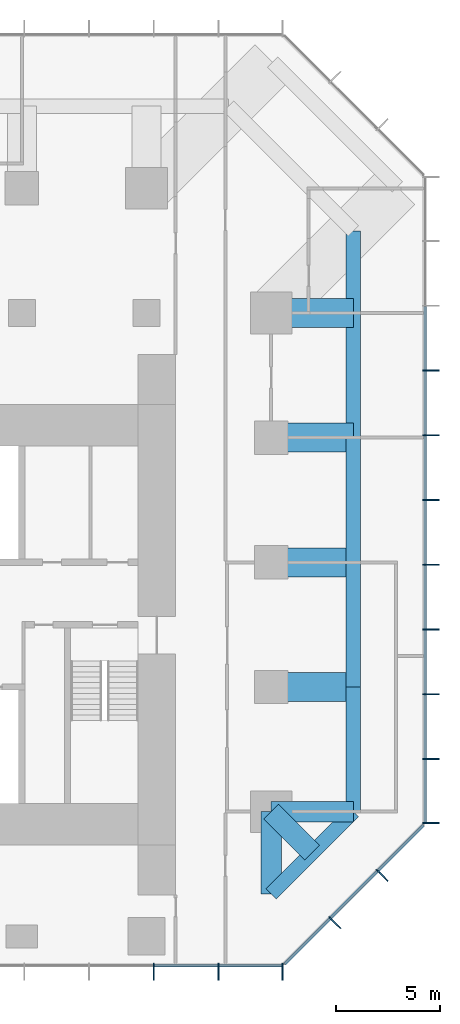
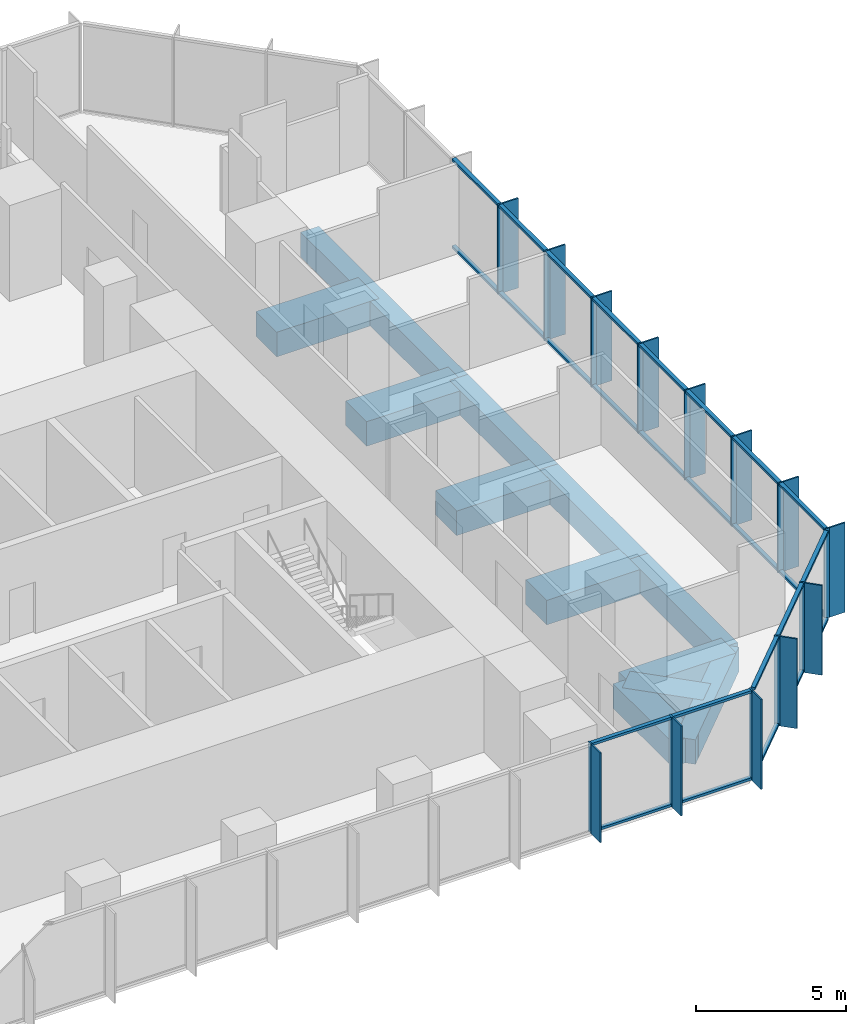
# One storey, part 4 of 11: 52 members, 12 beams, 3 elements without a shape of their own.
"""IFC4 building model written with IfcOpenShell, lengths in metres."""

from ifc_helpers import new_model, si_unit, direction, frame, origin, origin_2d, place, context, subcontext, project, spatial, rectangle, extrude, material, layer, layer_set, material_profile, profile_set, type_object, element, aggregate, save


model = new_model("IFC4")

# Units and contexts
model_context = context("Model", 3, precision=1e-05, world=origin(), true_north=direction((0.0, 1.0)))
body_context = subcontext(model_context, "Body", "Model", "MODEL_VIEW")
ifc_project = project(units=[si_unit("LENGTHUNIT", "METRE"), si_unit("AREAUNIT", "SQUARE_METRE"), si_unit("VOLUMEUNIT", "CUBIC_METRE"), si_unit("PLANEANGLEUNIT", "RADIAN"), si_unit("MASSUNIT", "GRAM", prefix="KILO")], contexts=[model_context])

# Site, building, storey
site_placement = place(None, origin())
site = spatial("IfcSite", under=ifc_project, at=site_placement, CompositionType="ELEMENT")
building_placement = place(site_placement, origin())
building = spatial("IfcBuilding", under=site, at=building_placement, Name="Highveld Stack Headquarters", CompositionType="ELEMENT")
storey_placement = place(building_placement, frame((0.0, 0.0, 169.39990234375)))
storey = spatial("IfcBuildingStorey", under=building, at=storey_placement, Name="L41", CompositionType="ELEMENT", Elevation=169.39990234375)

# Beams
ifc_material_1 = material(Name="Concrete C60/75", Category="concrete")
ifc_material_profile_1 = material_profile(ifc_material_1, rectangle(XDim=1.0, YDim=1.0, at=origin_2d()), Name="RC 1000x1000")
ifc_profile_set_1 = profile_set([ifc_material_profile_1], Name="Concrete C60/75")
beam_type_1 = type_object("IfcBeamType", Name="CANTILEVER RIB RC 1000x1000", PredefinedType="USERDEFINED", material=ifc_profile_set_1)
for number, where, z_axis, x_axis, name in (
    (1, (24.0, -6.0, -0.75), (1.0, 0.0, 0.0), (0.0, 1.0, 0.0), "Cantilever rib 10/D L41"),
    (2, (24.0, -6.0, -0.75), (0.0, -1.0, 0.0), (1.0, 0.0, 0.0), "Cantilever rib 10/D L41"),
):
    element("IfcBeam", number, at=place(storey_placement, frame(where, z_axis=z_axis, x_axis=x_axis)), inside=storey, type_object=beam_type_1, Name=name, ObjectType="CANTILEVER RIB", PredefinedType="USERDEFINED", context=body_context, shape_type="SweptSolid", body=[
        extrude(rectangle(XDim=1.0, YDim=1.0, at=origin_2d()), origin(), (0.0, 0.0, 1.0), 3.949951171875),
    ])
beam_1_placement = place(storey_placement, frame((24.0, -6.0, -0.75), z_axis=(0.707106781187, -0.707106781187, 0.0), x_axis=(0.707106781187, 0.707106781187, 0.0)))
element("IfcBeam", 3, at=beam_1_placement, inside=storey, type_object=beam_type_1, Name="Cantilever rib 10/D L41", ObjectType="CANTILEVER RIB", PredefinedType="USERDEFINED", context=body_context, shape_type="SweptSolid", body=[
    extrude(rectangle(XDim=1.0, YDim=1.0, at=origin_2d()), origin(), (0.0, 0.0, 1.0), 2.793212890625),
])
ifc_material_2 = material(Name="Concrete C60/75", Category="concrete")
ifc_material_profile_2 = material_profile(ifc_material_2, rectangle(XDim=1.39990234375, YDim=1.0, at=origin_2d()), Name="RC 1400x1000")
ifc_profile_set_2 = profile_set([ifc_material_profile_2], Name="Concrete C60/75")
beam_type_2 = type_object("IfcBeamType", Name="CANTILEVER RIB RC 1400x1000", PredefinedType="USERDEFINED", material=ifc_profile_set_2)
for number, where, z_axis, x_axis, name in (
    (4, (24.0, 0.0, -0.75), (1.0, 0.0, 0.0), (0.0, 1.0, 0.0), "Cantilever rib 10/E L41"),
    (5, (24.0, 6.0, -0.75), (1.0, 0.0, 0.0), (0.0, 1.0, 0.0), "Cantilever rib 10/F L41"),
    (6, (24.0, 12.0, -0.75), (1.0, 0.0, 0.0), (0.0, 1.0, 0.0), "Cantilever rib 10/G L41"),
    (7, (24.0, 18.0, -0.75), (1.0, 0.0, 0.0), (0.0, 1.0, 0.0), "Cantilever rib 10/H L41"),
):
    element("IfcBeam", number, at=place(storey_placement, frame(where, z_axis=z_axis, x_axis=x_axis)), inside=storey, type_object=beam_type_2, Name=name, ObjectType="CANTILEVER RIB", PredefinedType="USERDEFINED", context=body_context, shape_type="SweptSolid", body=[
        extrude(rectangle(XDim=1.39990234375, YDim=1.0, at=origin_2d()), origin(), (0.0, 0.0, 1.0), 3.949951171875),
    ])

# Curtain wall, members
ifc_material_3 = material(Name="Aluminium bronze anodised", Category="aluminium")
ifc_layer = layer(ifc_material_3, 0.199951171875)
ifc_layer_set = layer_set([ifc_layer], Name="Aluminium bronze anodised")
curtain_wall_type = type_object("IfcCurtainWallType", Name="CW6 SKY LOBBY UNITISED CURTAIN WALL", PredefinedType="NOTDEFINED", material=ifc_layer_set)
curtain_wall_1_placement = place(storey_placement, origin())
curtain_wall_1 = element("IfcCurtainWall", 8, at=curtain_wall_1_placement, inside=storey, type_object=curtain_wall_type, Name="Curtain wall CW6 L41 S", PredefinedType="NOTDEFINED")
ifc_material_4 = material(Name="Aluminium bronze anodised", Category="aluminium")
ifc_material_profile_3 = material_profile(ifc_material_4, rectangle(XDim=0.60009765625, YDim=0.06005859375, at=origin_2d()), Name="FIN 600x60")
ifc_profile_set_3 = profile_set([ifc_material_profile_3], Name="Aluminium bronze anodised")
member_type_1 = type_object("IfcMemberType", Name="CW6 BRONZE FIN 600x60", PredefinedType="USERDEFINED", material=ifc_profile_set_3)
member_1_placement = place(storey_placement, frame((18.347900390625, -13.800048828125, 0.0), z_axis=(0.0, 0.0, 1.0), x_axis=(0.0, 1.0, 0.0)))
member_1 = element("IfcMember", 9, at=member_1_placement, type_object=member_type_1, Name="CW6 fin L41 9", ObjectType="FIN", PredefinedType="USERDEFINED", context=body_context, shape_type="SweptSolid", body=[
    extrude(rectangle(XDim=0.60009765625, YDim=0.06005859375, at=origin_2d()), origin(), (0.0, 0.0, 1.0), 3.650146484375),
])
member_2_placement = place(storey_placement, frame((21.4638671875, -13.800048828125, 0.0), z_axis=(0.0, 0.0, 1.0), x_axis=(0.0, 1.0, 0.0)))
member_2 = element("IfcMember", 10, at=member_2_placement, type_object=member_type_1, Name="CW6 fin L41 10", ObjectType="FIN", PredefinedType="USERDEFINED", context=body_context, shape_type="SweptSolid", body=[
    extrude(rectangle(XDim=0.60009765625, YDim=0.06005859375, at=origin_2d()), origin(), (0.0, 0.0, 1.0), 3.650146484375),
])
member_3_placement = place(storey_placement, frame((24.54736328125, -13.800048828125, 0.0), z_axis=(0.0, 0.0, 1.0), x_axis=(0.0, 1.0, 0.0)))
member_3 = element("IfcMember", 11, at=member_3_placement, type_object=member_type_1, Name="CW6 fin L41 11", ObjectType="FIN", PredefinedType="USERDEFINED", context=body_context, shape_type="SweptSolid", body=[
    extrude(rectangle(XDim=0.60009765625, YDim=0.06005859375, at=origin_2d()), origin(), (0.0, 0.0, 1.0), 3.650146484375),
])

curtain_wall_2_placement = place(storey_placement, origin())
curtain_wall_2 = element("IfcCurtainWall", 12, at=curtain_wall_2_placement, inside=storey, type_object=curtain_wall_type, Name="Curtain wall CW6 L41 SE", PredefinedType="NOTDEFINED")
member_4_placement = place(storey_placement, frame((27.135986328125, -11.409423828125, 0.0), z_axis=(0.0, 0.0, 1.0), x_axis=(-0.707106781187, 0.707106781187, 0.0)))
member_4 = element("IfcMember", 13, at=member_4_placement, type_object=member_type_1, Name="CW6 fin L41 1", ObjectType="FIN", PredefinedType="USERDEFINED", context=body_context, shape_type="SweptSolid", body=[
    extrude(rectangle(XDim=0.60009765625, YDim=0.06005859375, at=origin_2d()), origin(), (0.0, 0.0, 1.0), 3.650146484375),
])
member_5_placement = place(storey_placement, frame((29.409423828125, -9.135986328125, 0.0), z_axis=(0.0, 0.0, 1.0), x_axis=(-0.707106781187, 0.707106781187, 0.0)))
member_5 = element("IfcMember", 14, at=member_5_placement, type_object=member_type_1, Name="CW6 fin L41 2", ObjectType="FIN", PredefinedType="USERDEFINED", context=body_context, shape_type="SweptSolid", body=[
    extrude(rectangle(XDim=0.60009765625, YDim=0.06005859375, at=origin_2d()), origin(), (0.0, 0.0, 1.0), 3.650146484375),
])

curtain_wall_3_placement = place(storey_placement, origin())
curtain_wall_3 = element("IfcCurtainWall", 15, at=curtain_wall_3_placement, inside=storey, type_object=curtain_wall_type, Name="Curtain wall CW6 L41 E", PredefinedType="NOTDEFINED")
member_6_placement = place(storey_placement, frame((31.800048828125, -6.54736328125, 0.0), z_axis=(0.0, 0.0, 1.0), x_axis=(-1.0, 0.0, 0.0)))
member_6 = element("IfcMember", 16, at=member_6_placement, type_object=member_type_1, Name="CW6 fin L41 1", ObjectType="FIN", PredefinedType="USERDEFINED", context=body_context, shape_type="SweptSolid", body=[
    extrude(rectangle(XDim=0.60009765625, YDim=0.06005859375, at=origin_2d()), origin(), (0.0, 0.0, 1.0), 3.650146484375),
])
member_7_placement = place(storey_placement, frame((31.800048828125, -3.4638671875, 0.0), z_axis=(0.0, 0.0, 1.0), x_axis=(-1.0, 0.0, 0.0)))
member_7 = element("IfcMember", 17, at=member_7_placement, type_object=member_type_1, Name="CW6 fin L41 2", ObjectType="FIN", PredefinedType="USERDEFINED", context=body_context, shape_type="SweptSolid", body=[
    extrude(rectangle(XDim=0.60009765625, YDim=0.06005859375, at=origin_2d()), origin(), (0.0, 0.0, 1.0), 3.650146484375),
])
member_8_placement = place(storey_placement, frame((31.800048828125, -0.347900390625, 0.0), z_axis=(0.0, 0.0, 1.0), x_axis=(-1.0, 0.0, 0.0)))
member_8 = element("IfcMember", 18, at=member_8_placement, type_object=member_type_1, Name="CW6 fin L41 3", ObjectType="FIN", PredefinedType="USERDEFINED", context=body_context, shape_type="SweptSolid", body=[
    extrude(rectangle(XDim=0.60009765625, YDim=0.06005859375, at=origin_2d()), origin(), (0.0, 0.0, 1.0), 3.650146484375),
])
member_9_placement = place(storey_placement, frame((31.800048828125, 2.76806640625, 0.0), z_axis=(0.0, 0.0, 1.0), x_axis=(-1.0, 0.0, 0.0)))
member_9 = element("IfcMember", 19, at=member_9_placement, type_object=member_type_1, Name="CW6 fin L41 4", ObjectType="FIN", PredefinedType="USERDEFINED", context=body_context, shape_type="SweptSolid", body=[
    extrude(rectangle(XDim=0.60009765625, YDim=0.06005859375, at=origin_2d()), origin(), (0.0, 0.0, 1.0), 3.650146484375),
])
member_10_placement = place(storey_placement, frame((31.800048828125, 5.884033203125, 0.0), z_axis=(0.0, 0.0, 1.0), x_axis=(-1.0, 0.0, 0.0)))
member_10 = element("IfcMember", 20, at=member_10_placement, type_object=member_type_1, Name="CW6 fin L41 5", ObjectType="FIN", PredefinedType="USERDEFINED", context=body_context, shape_type="SweptSolid", body=[
    extrude(rectangle(XDim=0.60009765625, YDim=0.06005859375, at=origin_2d()), origin(), (0.0, 0.0, 1.0), 3.650146484375),
])
member_11_placement = place(storey_placement, frame((31.800048828125, 9.0, 0.0), z_axis=(0.0, 0.0, 1.0), x_axis=(-1.0, 0.0, 0.0)))
member_11 = element("IfcMember", 21, at=member_11_placement, type_object=member_type_1, Name="CW6 fin L41 6", ObjectType="FIN", PredefinedType="USERDEFINED", context=body_context, shape_type="SweptSolid", body=[
    extrude(rectangle(XDim=0.60009765625, YDim=0.06005859375, at=origin_2d()), origin(), (0.0, 0.0, 1.0), 3.650146484375),
])
member_12_placement = place(storey_placement, frame((31.800048828125, 12.115966796875, 0.0), z_axis=(0.0, 0.0, 1.0), x_axis=(-1.0, 0.0, 0.0)))
member_12 = element("IfcMember", 22, at=member_12_placement, type_object=member_type_1, Name="CW6 fin L41 7", ObjectType="FIN", PredefinedType="USERDEFINED", context=body_context, shape_type="SweptSolid", body=[
    extrude(rectangle(XDim=0.60009765625, YDim=0.06005859375, at=origin_2d()), origin(), (0.0, 0.0, 1.0), 3.650146484375),
])
member_13_placement = place(storey_placement, frame((31.800048828125, 15.23193359375, 0.0), z_axis=(0.0, 0.0, 1.0), x_axis=(-1.0, 0.0, 0.0)))
member_13 = element("IfcMember", 23, at=member_13_placement, type_object=member_type_1, Name="CW6 fin L41 8", ObjectType="FIN", PredefinedType="USERDEFINED", context=body_context, shape_type="SweptSolid", body=[
    extrude(rectangle(XDim=0.60009765625, YDim=0.06005859375, at=origin_2d()), origin(), (0.0, 0.0, 1.0), 3.650146484375),
])

# Member
ifc_material_5 = material(Name="Aluminium bronze anodised", Category="aluminium")
ifc_material_profile_4 = material_profile(ifc_material_5, rectangle(XDim=0.199951171875, YDim=0.06494140625, at=origin_2d()), Name="CW6 MULLION 65x200")
ifc_profile_set_4 = profile_set([ifc_material_profile_4], Name="Aluminium bronze anodised")
member_type_2 = type_object("IfcMemberType", Name="CW6 MULLION 65x200", PredefinedType="MULLION", material=ifc_profile_set_4)
member_14_placement = place(storey_placement, frame((18.347900390625, -13.39990234375, 0.0), z_axis=(0.0, 0.0, 1.0), x_axis=(0.0, 1.0, 0.0)))
member_14 = element("IfcMember", 24, at=member_14_placement, type_object=member_type_2, Name="CW6 mullion L41 9", PredefinedType="MULLION", context=body_context, shape_type="SweptSolid", body=[
    extrude(rectangle(XDim=0.199951171875, YDim=0.06494140625, at=origin_2d()), origin(), (0.0, 0.0, 1.0), 3.650146484375),
])

member_15_placement = place(storey_placement, frame((21.4638671875, -13.39990234375, 0.0), z_axis=(0.0, 0.0, 1.0), x_axis=(0.0, 1.0, 0.0)))
member_15 = element("IfcMember", 25, at=member_15_placement, type_object=member_type_2, Name="CW6 mullion L41 10", PredefinedType="MULLION", context=body_context, shape_type="SweptSolid", body=[
    extrude(rectangle(XDim=0.199951171875, YDim=0.06494140625, at=origin_2d()), origin(), (0.0, 0.0, 1.0), 3.650146484375),
])

member_16_placement = place(storey_placement, frame((24.54736328125, -13.39990234375, 0.0), z_axis=(0.0, 0.0, 1.0), x_axis=(0.0, 1.0, 0.0)))
member_16 = element("IfcMember", 26, at=member_16_placement, type_object=member_type_2, Name="CW6 mullion L41 11", PredefinedType="MULLION", context=body_context, shape_type="SweptSolid", body=[
    extrude(rectangle(XDim=0.199951171875, YDim=0.06494140625, at=origin_2d()), origin(), (0.0, 0.0, 1.0), 3.650146484375),
])

member_17_placement = place(storey_placement, frame((26.853271484375, -11.126708984375, 0.0), z_axis=(0.0, 0.0, 1.0), x_axis=(-0.707106781187, 0.707106781187, 0.0)))
member_17 = element("IfcMember", 27, at=member_17_placement, type_object=member_type_2, Name="CW6 mullion L41 1", PredefinedType="MULLION", context=body_context, shape_type="SweptSolid", body=[
    extrude(rectangle(XDim=0.199951171875, YDim=0.06494140625, at=origin_2d()), origin(), (0.0, 0.0, 1.0), 3.650146484375),
])

member_18_placement = place(storey_placement, frame((29.126708984375, -8.853271484375, 0.0), z_axis=(0.0, 0.0, 1.0), x_axis=(-0.707106781187, 0.707106781187, 0.0)))
member_18 = element("IfcMember", 28, at=member_18_placement, type_object=member_type_2, Name="CW6 mullion L41 2", PredefinedType="MULLION", context=body_context, shape_type="SweptSolid", body=[
    extrude(rectangle(XDim=0.199951171875, YDim=0.06494140625, at=origin_2d()), origin(), (0.0, 0.0, 1.0), 3.650146484375),
])

member_19_placement = place(storey_placement, frame((31.39990234375, -6.54736328125, 0.0), z_axis=(0.0, 0.0, 1.0), x_axis=(-1.0, 0.0, 0.0)))
member_19 = element("IfcMember", 29, at=member_19_placement, type_object=member_type_2, Name="CW6 mullion L41 1", PredefinedType="MULLION", context=body_context, shape_type="SweptSolid", body=[
    extrude(rectangle(XDim=0.199951171875, YDim=0.06494140625, at=origin_2d()), origin(), (0.0, 0.0, 1.0), 3.650146484375),
])

member_20_placement = place(storey_placement, frame((31.39990234375, -3.4638671875, 0.0), z_axis=(0.0, 0.0, 1.0), x_axis=(-1.0, 0.0, 0.0)))
member_20 = element("IfcMember", 30, at=member_20_placement, type_object=member_type_2, Name="CW6 mullion L41 2", PredefinedType="MULLION", context=body_context, shape_type="SweptSolid", body=[
    extrude(rectangle(XDim=0.199951171875, YDim=0.06494140625, at=origin_2d()), origin(), (0.0, 0.0, 1.0), 3.650146484375),
])

member_21_placement = place(storey_placement, frame((31.39990234375, -0.347900390625, 0.0), z_axis=(0.0, 0.0, 1.0), x_axis=(-1.0, 0.0, 0.0)))
member_21 = element("IfcMember", 31, at=member_21_placement, type_object=member_type_2, Name="CW6 mullion L41 3", PredefinedType="MULLION", context=body_context, shape_type="SweptSolid", body=[
    extrude(rectangle(XDim=0.199951171875, YDim=0.06494140625, at=origin_2d()), origin(), (0.0, 0.0, 1.0), 3.650146484375),
])

member_22_placement = place(storey_placement, frame((31.39990234375, 2.76806640625, 0.0), z_axis=(0.0, 0.0, 1.0), x_axis=(-1.0, 0.0, 0.0)))
member_22 = element("IfcMember", 32, at=member_22_placement, type_object=member_type_2, Name="CW6 mullion L41 4", PredefinedType="MULLION", context=body_context, shape_type="SweptSolid", body=[
    extrude(rectangle(XDim=0.199951171875, YDim=0.06494140625, at=origin_2d()), origin(), (0.0, 0.0, 1.0), 3.650146484375),
])

member_23_placement = place(storey_placement, frame((31.39990234375, 5.884033203125, 0.0), z_axis=(0.0, 0.0, 1.0), x_axis=(-1.0, 0.0, 0.0)))
member_23 = element("IfcMember", 33, at=member_23_placement, type_object=member_type_2, Name="CW6 mullion L41 5", PredefinedType="MULLION", context=body_context, shape_type="SweptSolid", body=[
    extrude(rectangle(XDim=0.199951171875, YDim=0.06494140625, at=origin_2d()), origin(), (0.0, 0.0, 1.0), 3.650146484375),
])

member_24_placement = place(storey_placement, frame((31.39990234375, 9.0, 0.0), z_axis=(0.0, 0.0, 1.0), x_axis=(-1.0, 0.0, 0.0)))
member_24 = element("IfcMember", 34, at=member_24_placement, type_object=member_type_2, Name="CW6 mullion L41 6", PredefinedType="MULLION", context=body_context, shape_type="SweptSolid", body=[
    extrude(rectangle(XDim=0.199951171875, YDim=0.06494140625, at=origin_2d()), origin(), (0.0, 0.0, 1.0), 3.650146484375),
])

member_25_placement = place(storey_placement, frame((31.39990234375, 12.115966796875, 0.0), z_axis=(0.0, 0.0, 1.0), x_axis=(-1.0, 0.0, 0.0)))
member_25 = element("IfcMember", 35, at=member_25_placement, type_object=member_type_2, Name="CW6 mullion L41 7", PredefinedType="MULLION", context=body_context, shape_type="SweptSolid", body=[
    extrude(rectangle(XDim=0.199951171875, YDim=0.06494140625, at=origin_2d()), origin(), (0.0, 0.0, 1.0), 3.650146484375),
])

member_26_placement = place(storey_placement, frame((31.39990234375, 15.23193359375, 0.0), z_axis=(0.0, 0.0, 1.0), x_axis=(-1.0, 0.0, 0.0)))
member_26 = element("IfcMember", 36, at=member_26_placement, type_object=member_type_2, Name="CW6 mullion L41 8", PredefinedType="MULLION", context=body_context, shape_type="SweptSolid", body=[
    extrude(rectangle(XDim=0.199951171875, YDim=0.06494140625, at=origin_2d()), origin(), (0.0, 0.0, 1.0), 3.650146484375),
])

ifc_material_6 = material(Name="Aluminium bronze anodised", Category="aluminium")
ifc_material_profile_5 = material_profile(ifc_material_6, rectangle(XDim=0.14990234375, YDim=0.10009765625, at=origin_2d()), Name="CW6 TRANSOM 150x100")
ifc_profile_set_5 = profile_set([ifc_material_profile_5], Name="Aluminium bronze anodised")
member_type_3 = type_object("IfcMemberType", Name="CW6 STACK TRANSOM 150x100", PredefinedType="USERDEFINED", material=ifc_profile_set_5)
member_27_placement = place(storey_placement, frame((18.38037109375, -13.39990234375, 0.050048828125), z_axis=(1.0, 0.0, 0.0), x_axis=(0.0, 1.0, 0.0)))
member_27 = element("IfcMember", 37, at=member_27_placement, type_object=member_type_3, Name="CW6 transom L41 9.1", ObjectType="TRANSOM", PredefinedType="USERDEFINED", context=body_context, shape_type="SweptSolid", body=[
    extrude(rectangle(XDim=0.14990234375, YDim=0.10009765625, at=origin_2d()), origin(), (0.0, 0.0, 1.0), 3.051025390625),
])

member_28_placement = place(storey_placement, frame((18.38037109375, -13.39990234375, 3.60009765625), z_axis=(1.0, 0.0, 0.0), x_axis=(0.0, 1.0, 0.0)))
member_28 = element("IfcMember", 38, at=member_28_placement, type_object=member_type_3, Name="CW6 transom L41 9.2", ObjectType="TRANSOM", PredefinedType="USERDEFINED", context=body_context, shape_type="SweptSolid", body=[
    extrude(rectangle(XDim=0.14990234375, YDim=0.10009765625, at=origin_2d()), origin(), (0.0, 0.0, 1.0), 3.051025390625),
])

member_29_placement = place(storey_placement, frame((21.496337890625, -13.39990234375, 0.050048828125), z_axis=(1.0, 0.0, 0.0), x_axis=(0.0, 1.0, 0.0)))
member_29 = element("IfcMember", 39, at=member_29_placement, type_object=member_type_3, Name="CW6 transom L41 10.1", ObjectType="TRANSOM", PredefinedType="USERDEFINED", context=body_context, shape_type="SweptSolid", body=[
    extrude(rectangle(XDim=0.14990234375, YDim=0.10009765625, at=origin_2d()), origin(), (0.0, 0.0, 1.0), 3.0185546875),
])

member_30_placement = place(storey_placement, frame((21.496337890625, -13.39990234375, 3.60009765625), z_axis=(1.0, 0.0, 0.0), x_axis=(0.0, 1.0, 0.0)))
member_30 = element("IfcMember", 40, at=member_30_placement, type_object=member_type_3, Name="CW6 transom L41 10.2", ObjectType="TRANSOM", PredefinedType="USERDEFINED", context=body_context, shape_type="SweptSolid", body=[
    extrude(rectangle(XDim=0.14990234375, YDim=0.10009765625, at=origin_2d()), origin(), (0.0, 0.0, 1.0), 3.0185546875),
])

aggregate(curtain_wall_1, [member_14, member_1, member_15, member_2, member_16, member_3, member_27, member_28, member_29, member_30])

member_31_placement = place(storey_placement, frame((24.650634765625, -13.329345703125, 0.050048828125), z_axis=(0.707106781187, 0.707106781187, 0.0), x_axis=(-0.707106781187, 0.707106781187, 0.0)))
member_31 = element("IfcMember", 41, at=member_31_placement, type_object=member_type_3, Name="CW6 transom L41 1.1", ObjectType="TRANSOM", PredefinedType="USERDEFINED", context=body_context, shape_type="SweptSolid", body=[
    extrude(rectangle(XDim=0.14990234375, YDim=0.10009765625, at=origin_2d()), origin(), (0.0, 0.0, 1.0), 3.08251953125),
])

member_32_placement = place(storey_placement, frame((24.650634765625, -13.329345703125, 3.60009765625), z_axis=(0.707106781187, 0.707106781187, 0.0), x_axis=(-0.707106781187, 0.707106781187, 0.0)))
member_32 = element("IfcMember", 42, at=member_32_placement, type_object=member_type_3, Name="CW6 transom L41 1.2", ObjectType="TRANSOM", PredefinedType="USERDEFINED", context=body_context, shape_type="SweptSolid", body=[
    extrude(rectangle(XDim=0.14990234375, YDim=0.10009765625, at=origin_2d()), origin(), (0.0, 0.0, 1.0), 3.08251953125),
])

member_33_placement = place(storey_placement, frame((26.876220703125, -11.103759765625, 0.050048828125), z_axis=(0.707106781187, 0.707106781187, 0.0), x_axis=(-0.707106781187, 0.707106781187, 0.0)))
member_33 = element("IfcMember", 43, at=member_33_placement, type_object=member_type_3, Name="CW6 transom L41 2.1", ObjectType="TRANSOM", PredefinedType="USERDEFINED", context=body_context, shape_type="SweptSolid", body=[
    extrude(rectangle(XDim=0.14990234375, YDim=0.10009765625, at=origin_2d()), origin(), (0.0, 0.0, 1.0), 3.150146484375),
])

member_34_placement = place(storey_placement, frame((26.876220703125, -11.103759765625, 3.60009765625), z_axis=(0.707106781187, 0.707106781187, 0.0), x_axis=(-0.707106781187, 0.707106781187, 0.0)))
member_34 = element("IfcMember", 44, at=member_34_placement, type_object=member_type_3, Name="CW6 transom L41 2.2", ObjectType="TRANSOM", PredefinedType="USERDEFINED", context=body_context, shape_type="SweptSolid", body=[
    extrude(rectangle(XDim=0.14990234375, YDim=0.10009765625, at=origin_2d()), origin(), (0.0, 0.0, 1.0), 3.150146484375),
])

member_35_placement = place(storey_placement, frame((29.149658203125, -8.830322265625, 0.050048828125), z_axis=(0.707106781187, 0.707106781187, 0.0), x_axis=(-0.707106781187, 0.707106781187, 0.0)))
member_35 = element("IfcMember", 45, at=member_35_placement, type_object=member_type_3, Name="CW6 transom L41 3.1", ObjectType="TRANSOM", PredefinedType="USERDEFINED", context=body_context, shape_type="SweptSolid", body=[
    extrude(rectangle(XDim=0.14990234375, YDim=0.10009765625, at=origin_2d()), origin(), (0.0, 0.0, 1.0), 3.08251953125),
])

member_36_placement = place(storey_placement, frame((29.149658203125, -8.830322265625, 3.60009765625), z_axis=(0.707106781187, 0.707106781187, 0.0), x_axis=(-0.707106781187, 0.707106781187, 0.0)))
member_36 = element("IfcMember", 46, at=member_36_placement, type_object=member_type_3, Name="CW6 transom L41 3.2", ObjectType="TRANSOM", PredefinedType="USERDEFINED", context=body_context, shape_type="SweptSolid", body=[
    extrude(rectangle(XDim=0.14990234375, YDim=0.10009765625, at=origin_2d()), origin(), (0.0, 0.0, 1.0), 3.08251953125),
])

aggregate(curtain_wall_2, [member_17, member_4, member_18, member_5, member_31, member_32, member_33, member_34, member_35, member_36])

member_37_placement = place(storey_placement, frame((31.39990234375, -6.514892578125, 0.050048828125), z_axis=(0.0, 1.0, 0.0), x_axis=(-1.0, 0.0, 0.0)))
member_37 = element("IfcMember", 47, at=member_37_placement, type_object=member_type_3, Name="CW6 transom L41 1.1", ObjectType="TRANSOM", PredefinedType="USERDEFINED", context=body_context, shape_type="SweptSolid", body=[
    extrude(rectangle(XDim=0.14990234375, YDim=0.10009765625, at=origin_2d()), origin(), (0.0, 0.0, 1.0), 3.0185546875),
])

member_38_placement = place(storey_placement, frame((31.39990234375, -6.514892578125, 3.60009765625), z_axis=(0.0, 1.0, 0.0), x_axis=(-1.0, 0.0, 0.0)))
member_38 = element("IfcMember", 48, at=member_38_placement, type_object=member_type_3, Name="CW6 transom L41 1.2", ObjectType="TRANSOM", PredefinedType="USERDEFINED", context=body_context, shape_type="SweptSolid", body=[
    extrude(rectangle(XDim=0.14990234375, YDim=0.10009765625, at=origin_2d()), origin(), (0.0, 0.0, 1.0), 3.0185546875),
])

member_39_placement = place(storey_placement, frame((31.39990234375, -3.431396484375, 0.050048828125), z_axis=(0.0, 1.0, 0.0), x_axis=(-1.0, 0.0, 0.0)))
member_39 = element("IfcMember", 49, at=member_39_placement, type_object=member_type_3, Name="CW6 transom L41 2.1", ObjectType="TRANSOM", PredefinedType="USERDEFINED", context=body_context, shape_type="SweptSolid", body=[
    extrude(rectangle(XDim=0.14990234375, YDim=0.10009765625, at=origin_2d()), origin(), (0.0, 0.0, 1.0), 3.051025390625),
])

member_40_placement = place(storey_placement, frame((31.39990234375, -3.431396484375, 3.60009765625), z_axis=(0.0, 1.0, 0.0), x_axis=(-1.0, 0.0, 0.0)))
member_40 = element("IfcMember", 50, at=member_40_placement, type_object=member_type_3, Name="CW6 transom L41 2.2", ObjectType="TRANSOM", PredefinedType="USERDEFINED", context=body_context, shape_type="SweptSolid", body=[
    extrude(rectangle(XDim=0.14990234375, YDim=0.10009765625, at=origin_2d()), origin(), (0.0, 0.0, 1.0), 3.051025390625),
])

member_41_placement = place(storey_placement, frame((31.39990234375, -0.3154296875, 0.050048828125), z_axis=(0.0, 1.0, 0.0), x_axis=(-1.0, 0.0, 0.0)))
member_41 = element("IfcMember", 51, at=member_41_placement, type_object=member_type_3, Name="CW6 transom L41 3.1", ObjectType="TRANSOM", PredefinedType="USERDEFINED", context=body_context, shape_type="SweptSolid", body=[
    extrude(rectangle(XDim=0.14990234375, YDim=0.10009765625, at=origin_2d()), origin(), (0.0, 0.0, 1.0), 3.051025390625),
])

member_42_placement = place(storey_placement, frame((31.39990234375, -0.3154296875, 3.60009765625), z_axis=(0.0, 1.0, 0.0), x_axis=(-1.0, 0.0, 0.0)))
member_42 = element("IfcMember", 52, at=member_42_placement, type_object=member_type_3, Name="CW6 transom L41 3.2", ObjectType="TRANSOM", PredefinedType="USERDEFINED", context=body_context, shape_type="SweptSolid", body=[
    extrude(rectangle(XDim=0.14990234375, YDim=0.10009765625, at=origin_2d()), origin(), (0.0, 0.0, 1.0), 3.051025390625),
])

member_43_placement = place(storey_placement, frame((31.39990234375, 2.800537109375, 0.050048828125), z_axis=(0.0, 1.0, 0.0), x_axis=(-1.0, 0.0, 0.0)))
member_43 = element("IfcMember", 53, at=member_43_placement, type_object=member_type_3, Name="CW6 transom L41 4.1", ObjectType="TRANSOM", PredefinedType="USERDEFINED", context=body_context, shape_type="SweptSolid", body=[
    extrude(rectangle(XDim=0.14990234375, YDim=0.10009765625, at=origin_2d()), origin(), (0.0, 0.0, 1.0), 3.051025390625),
])

member_44_placement = place(storey_placement, frame((31.39990234375, 2.800537109375, 3.60009765625), z_axis=(0.0, 1.0, 0.0), x_axis=(-1.0, 0.0, 0.0)))
member_44 = element("IfcMember", 54, at=member_44_placement, type_object=member_type_3, Name="CW6 transom L41 4.2", ObjectType="TRANSOM", PredefinedType="USERDEFINED", context=body_context, shape_type="SweptSolid", body=[
    extrude(rectangle(XDim=0.14990234375, YDim=0.10009765625, at=origin_2d()), origin(), (0.0, 0.0, 1.0), 3.051025390625),
])

member_45_placement = place(storey_placement, frame((31.39990234375, 5.91650390625, 0.050048828125), z_axis=(0.0, 1.0, 0.0), x_axis=(-1.0, 0.0, 0.0)))
member_45 = element("IfcMember", 55, at=member_45_placement, type_object=member_type_3, Name="CW6 transom L41 5.1", ObjectType="TRANSOM", PredefinedType="USERDEFINED", context=body_context, shape_type="SweptSolid", body=[
    extrude(rectangle(XDim=0.14990234375, YDim=0.10009765625, at=origin_2d()), origin(), (0.0, 0.0, 1.0), 3.051025390625),
])

member_46_placement = place(storey_placement, frame((31.39990234375, 5.91650390625, 3.60009765625), z_axis=(0.0, 1.0, 0.0), x_axis=(-1.0, 0.0, 0.0)))
member_46 = element("IfcMember", 56, at=member_46_placement, type_object=member_type_3, Name="CW6 transom L41 5.2", ObjectType="TRANSOM", PredefinedType="USERDEFINED", context=body_context, shape_type="SweptSolid", body=[
    extrude(rectangle(XDim=0.14990234375, YDim=0.10009765625, at=origin_2d()), origin(), (0.0, 0.0, 1.0), 3.051025390625),
])

member_47_placement = place(storey_placement, frame((31.39990234375, 9.032470703125, 0.050048828125), z_axis=(0.0, 1.0, 0.0), x_axis=(-1.0, 0.0, 0.0)))
member_47 = element("IfcMember", 57, at=member_47_placement, type_object=member_type_3, Name="CW6 transom L41 6.1", ObjectType="TRANSOM", PredefinedType="USERDEFINED", context=body_context, shape_type="SweptSolid", body=[
    extrude(rectangle(XDim=0.14990234375, YDim=0.10009765625, at=origin_2d()), origin(), (0.0, 0.0, 1.0), 3.051025390625),
])

member_48_placement = place(storey_placement, frame((31.39990234375, 9.032470703125, 3.60009765625), z_axis=(0.0, 1.0, 0.0), x_axis=(-1.0, 0.0, 0.0)))
member_48 = element("IfcMember", 58, at=member_48_placement, type_object=member_type_3, Name="CW6 transom L41 6.2", ObjectType="TRANSOM", PredefinedType="USERDEFINED", context=body_context, shape_type="SweptSolid", body=[
    extrude(rectangle(XDim=0.14990234375, YDim=0.10009765625, at=origin_2d()), origin(), (0.0, 0.0, 1.0), 3.051025390625),
])

member_49_placement = place(storey_placement, frame((31.39990234375, 12.1484375, 0.050048828125), z_axis=(0.0, 1.0, 0.0), x_axis=(-1.0, 0.0, 0.0)))
member_49 = element("IfcMember", 59, at=member_49_placement, type_object=member_type_3, Name="CW6 transom L41 7.1", ObjectType="TRANSOM", PredefinedType="USERDEFINED", context=body_context, shape_type="SweptSolid", body=[
    extrude(rectangle(XDim=0.14990234375, YDim=0.10009765625, at=origin_2d()), origin(), (0.0, 0.0, 1.0), 3.051025390625),
])

member_50_placement = place(storey_placement, frame((31.39990234375, 12.1484375, 3.60009765625), z_axis=(0.0, 1.0, 0.0), x_axis=(-1.0, 0.0, 0.0)))
member_50 = element("IfcMember", 60, at=member_50_placement, type_object=member_type_3, Name="CW6 transom L41 7.2", ObjectType="TRANSOM", PredefinedType="USERDEFINED", context=body_context, shape_type="SweptSolid", body=[
    extrude(rectangle(XDim=0.14990234375, YDim=0.10009765625, at=origin_2d()), origin(), (0.0, 0.0, 1.0), 3.051025390625),
])

member_51_placement = place(storey_placement, frame((31.39990234375, 15.264404296875, 0.050048828125), z_axis=(0.0, 1.0, 0.0), x_axis=(-1.0, 0.0, 0.0)))
member_51 = element("IfcMember", 61, at=member_51_placement, type_object=member_type_3, Name="CW6 transom L41 8.1", ObjectType="TRANSOM", PredefinedType="USERDEFINED", context=body_context, shape_type="SweptSolid", body=[
    extrude(rectangle(XDim=0.14990234375, YDim=0.10009765625, at=origin_2d()), origin(), (0.0, 0.0, 1.0), 3.051025390625),
])

member_52_placement = place(storey_placement, frame((31.39990234375, 15.264404296875, 3.60009765625), z_axis=(0.0, 1.0, 0.0), x_axis=(-1.0, 0.0, 0.0)))
member_52 = element("IfcMember", 62, at=member_52_placement, type_object=member_type_3, Name="CW6 transom L41 8.2", ObjectType="TRANSOM", PredefinedType="USERDEFINED", context=body_context, shape_type="SweptSolid", body=[
    extrude(rectangle(XDim=0.14990234375, YDim=0.10009765625, at=origin_2d()), origin(), (0.0, 0.0, 1.0), 3.051025390625),
])

aggregate(curtain_wall_3, [member_19, member_6, member_20, member_7, member_21, member_8, member_22, member_9, member_23, member_10, member_24, member_11, member_25, member_12, member_26, member_13, member_37, member_38, member_39, member_40, member_41, member_42, member_43, member_44, member_45, member_46, member_47, member_48, member_49, member_50, member_51, member_52])

# Beams
ifc_material_7 = material(Name="Concrete C60/75", Category="concrete")
ifc_material_profile_6 = material_profile(ifc_material_7, rectangle(XDim=0.699951171875, YDim=1.0, at=origin_2d()), Name="RC 700x1000")
ifc_profile_set_6 = profile_set([ifc_material_profile_6], Name="Concrete C60/75")
beam_type_3 = type_object("IfcBeamType", Name="RIB TIP BEAM RC 700x1000", PredefinedType="SPANDREL", material=ifc_profile_set_6)
for number, where, z_axis, x_axis, name in (
    (63, (27.949951171875, -6.0, -0.75), (0.0, 1.0, 0.0), (-1.0, 0.0, 0.0), "Rib tip beam 10/D to 10/E L41"),
    (64, (27.949951171875, 0.0, -0.75), (0.0, 1.0, 0.0), (-1.0, 0.0, 0.0), "Rib tip beam 10/E to 10/F L41"),
    (65, (27.949951171875, 6.0, -0.75), (0.0, 1.0, 0.0), (-1.0, 0.0, 0.0), "Rib tip beam 10/F to 10/G L41"),
):
    element("IfcBeam", number, at=place(storey_placement, frame(where, z_axis=z_axis, x_axis=x_axis)), inside=storey, type_object=beam_type_3, Name=name, PredefinedType="SPANDREL", context=body_context, shape_type="SweptSolid", body=[
        extrude(rectangle(XDim=0.699951171875, YDim=1.0, at=origin_2d()), origin(), (0.0, 0.0, 1.0), 6.0),
    ])
beam_2_placement = place(storey_placement, frame((27.949951171875, 12.0, -0.75), z_axis=(0.0, 1.0, 0.0), x_axis=(-1.0, 0.0, 0.0)))
element("IfcBeam", 66, at=beam_2_placement, inside=storey, type_object=beam_type_3, Name="Rib tip beam 10/G to 10/H L41", PredefinedType="SPANDREL", context=body_context, shape_type="SweptSolid", body=[
    extrude(rectangle(XDim=0.699951171875, YDim=1.0, at=origin_2d()), origin(), (0.0, 0.0, 1.0), 9.949951171875),
])
beam_3_placement = place(storey_placement, frame((27.949951171875, -6.0, -0.75), z_axis=(-0.707106781187, -0.707106781187, 0.0), x_axis=(0.707106781187, -0.707106781187, 0.0)))
element("IfcBeam", 67, at=beam_3_placement, inside=storey, type_object=beam_type_3, Name="Rib tip beam 10/D corner L41", PredefinedType="SPANDREL", context=body_context, shape_type="SweptSolid", body=[
    extrude(rectangle(XDim=0.699951171875, YDim=1.0, at=origin_2d()), origin(), (0.0, 0.0, 1.0), 5.586181640625),
])

save(model, "model.ifc")
